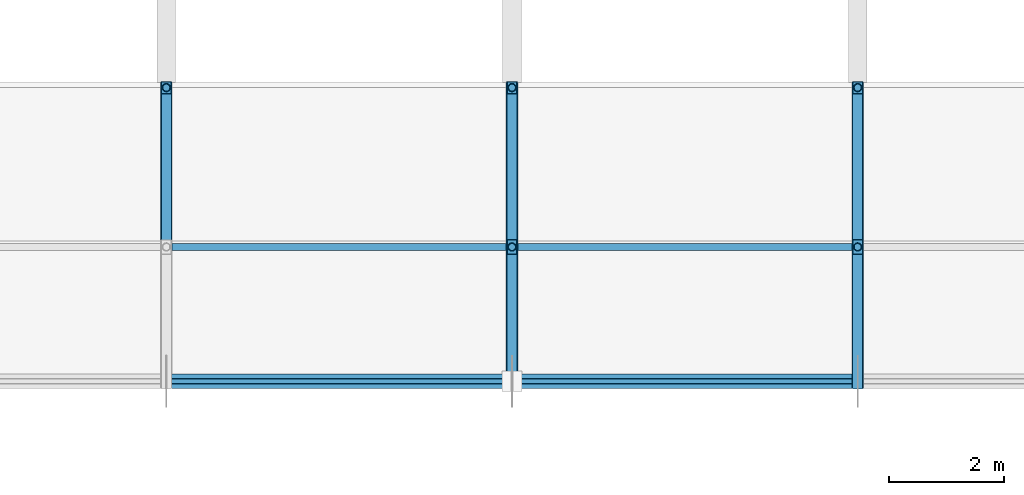
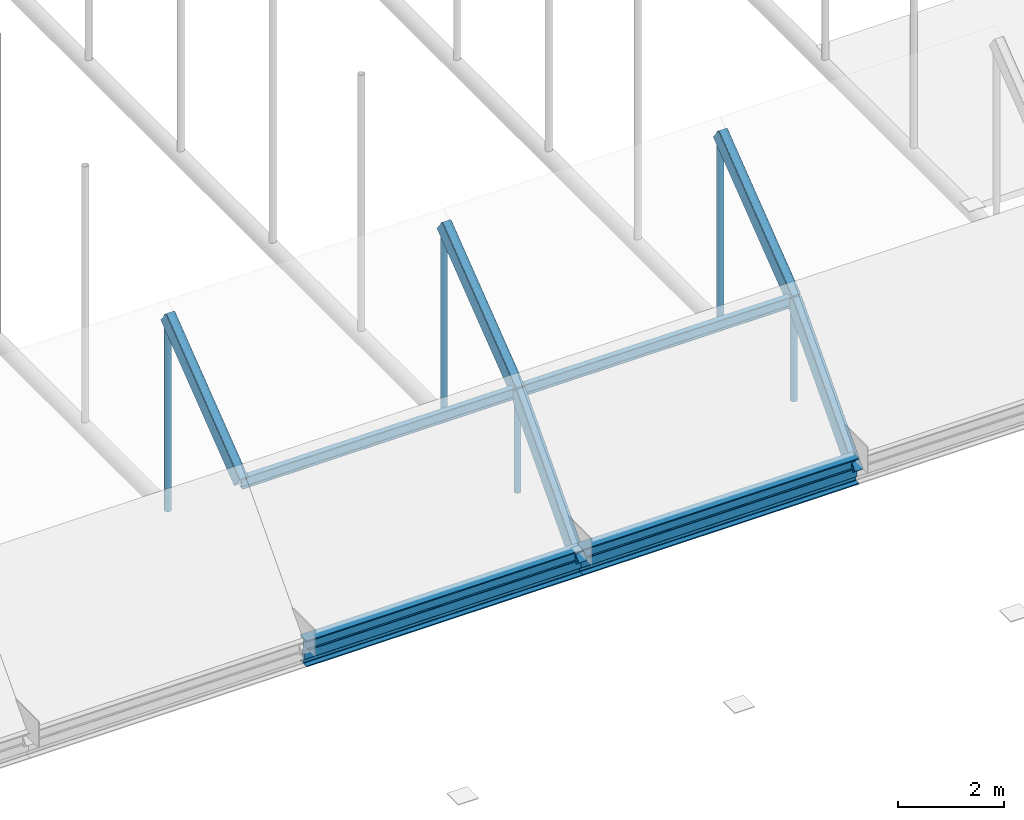
# One storey, part 43 of 116: 9 members, 7 beams.
"""IFC4 building model written with IfcOpenShell, lengths in metres."""

from ifc_helpers import new_model, si_unit, direction, frame, origin, origin_2d, place, context, subcontext, project, spatial, hollow_rectangle, hollow_circle, i_section, extrude, material, material_profile, profile_set, type_object, element, save


model = new_model("IFC4")

# Units and contexts
model_context = context("Model", 3, precision=1e-05, world=origin(), true_north=direction((0.0, 1.0)))
body_context = subcontext(model_context, "Body", "Model", "MODEL_VIEW")
ifc_project = project(units=[si_unit("LENGTHUNIT", "METRE"), si_unit("AREAUNIT", "SQUARE_METRE"), si_unit("VOLUMEUNIT", "CUBIC_METRE"), si_unit("PLANEANGLEUNIT", "RADIAN"), si_unit("MASSUNIT", "GRAM", prefix="KILO")], contexts=[model_context])

# Site, building, storey
site_placement = place(None, origin())
site = spatial("IfcSite", under=ifc_project, at=site_placement, CompositionType="ELEMENT")
building_placement = place(site_placement, origin())
building = spatial("IfcBuilding", under=site, at=building_placement, Name="Varnakota Square Police Headquarters", CompositionType="ELEMENT")
storey_placement = place(building_placement, frame((0.0, 0.0, 9.300048828125)))
storey = spatial("IfcBuildingStorey", under=building, at=storey_placement, Name="L02", CompositionType="ELEMENT", Elevation=9.300048828125)

# Beams
ifc_material = material(Name="Steel IS 2062 Grade 350", Category="steel")
ifc_material_profile_1 = material_profile(ifc_material, i_section(OverallWidth=0.25, OverallDepth=0.60009765625, WebThickness=0.01171875, FlangeThickness=0.023681640625, FilletRadius=0.01708984375, at=origin_2d()), Name="ISWB 600")
ifc_profile_set_1 = profile_set([ifc_material_profile_1], Name="Steel IS 2062 Grade 350")
beam_type_1 = type_object("IfcBeamType", Name="BM-ISWB600", PredefinedType="BEAM", material=ifc_profile_set_1)
for number, where, z_axis, x_axis, name in (
    (1, (78.0, 9.0, -0.300048828125), (1.0, 0.0, 0.0), (0.0, 1.0, 0.0), "Vault V1 south ring beam"),
    (2, (84.0, 9.0, -0.300048828125), (1.0, 0.0, 0.0), (0.0, 1.0, 0.0), "Vault V1 south ring beam"),
):
    element("IfcBeam", number, at=place(storey_placement, frame(where, z_axis=z_axis, x_axis=x_axis)), inside=storey, type_object=beam_type_1, Name=name, PredefinedType="BEAM", context=body_context, shape_type="SweptSolid", body=[
        extrude(i_section(OverallWidth=0.25, OverallDepth=0.60009765625, WebThickness=0.01171875, FlangeThickness=0.023681640625, FilletRadius=0.01708984375, at=origin_2d()), origin(), (0.0, 0.0, 1.0), 6.0),
    ])
ifc_material_profile_2 = material_profile(ifc_material, hollow_rectangle(XDim=0.199951171875, YDim=0.35009765625, WallThickness=0.011962890625, InnerFilletRadius=0.011962890625, OuterFilletRadius=0.02392578125, at=origin_2d()), Name="RHS 350x200x12")
ifc_profile_set_2 = profile_set([ifc_material_profile_2], Name="Steel IS 2062 Grade 350")
beam_type_2 = type_object("IfcBeamType", Name="BM-VR-RHS350", PredefinedType="BEAM", material=ifc_profile_set_2)
beam_1_placement = place(storey_placement, frame((78.0, 11.331787109375, 2.181396484375), z_axis=(0.0, 0.792062306817, 0.610440252703), x_axis=(-1.0, 0.0, 0.0)))
element("IfcBeam", 3, at=beam_1_placement, inside=storey, type_object=beam_type_2, Name="Barrel vault arch rib chord VR-V1-R05-S02", PredefinedType="BEAM", context=body_context, shape_type="SweptSolid", body=[
    extrude(hollow_rectangle(XDim=0.199951171875, YDim=0.35009765625, WallThickness=0.011962890625, InnerFilletRadius=0.011962890625, OuterFilletRadius=0.02392578125, at=origin_2d()), origin(), (0.0, 0.0, 1.0), 3.4921875),
])
beam_2_placement = place(storey_placement, frame((84.0, 9.0, -0.3916015625), z_axis=(0.0, 0.671520631111, 0.740985858159), x_axis=(-1.0, 0.0, 0.0)))
element("IfcBeam", 4, at=beam_2_placement, inside=storey, type_object=beam_type_2, Name="Barrel vault arch rib chord VR-V1-R06-S01", PredefinedType="BEAM", context=body_context, shape_type="SweptSolid", body=[
    extrude(hollow_rectangle(XDim=0.199951171875, YDim=0.35009765625, WallThickness=0.011962890625, InnerFilletRadius=0.011962890625, OuterFilletRadius=0.02392578125, at=origin_2d()), origin(), (0.0, 0.0, 1.0), 3.472412109375),
])
beam_3_placement = place(storey_placement, frame((84.0, 11.331787109375, 2.181396484375), z_axis=(0.0, 0.792062306817, 0.610440252703), x_axis=(-1.0, 0.0, 0.0)))
element("IfcBeam", 5, at=beam_3_placement, inside=storey, type_object=beam_type_2, Name="Barrel vault arch rib chord VR-V1-R06-S02", PredefinedType="BEAM", context=body_context, shape_type="SweptSolid", body=[
    extrude(hollow_rectangle(XDim=0.199951171875, YDim=0.35009765625, WallThickness=0.011962890625, InnerFilletRadius=0.011962890625, OuterFilletRadius=0.02392578125, at=origin_2d()), origin(), (0.0, 0.0, 1.0), 3.4921875),
])
beam_4_placement = place(storey_placement, frame((90.0, 9.0, -0.3916015625), z_axis=(0.0, 0.671520631111, 0.740985858159), x_axis=(-1.0, 0.0, 0.0)))
element("IfcBeam", 6, at=beam_4_placement, inside=storey, type_object=beam_type_2, Name="Barrel vault arch rib chord VR-V1-R07-S01", PredefinedType="BEAM", context=body_context, shape_type="SweptSolid", body=[
    extrude(hollow_rectangle(XDim=0.199951171875, YDim=0.35009765625, WallThickness=0.011962890625, InnerFilletRadius=0.011962890625, OuterFilletRadius=0.02392578125, at=origin_2d()), origin(), (0.0, 0.0, 1.0), 3.472412109375),
])
beam_5_placement = place(storey_placement, frame((90.0, 11.331787109375, 2.181396484375), z_axis=(0.0, 0.792062306817, 0.610440252703), x_axis=(-1.0, 0.0, 0.0)))
element("IfcBeam", 7, at=beam_5_placement, inside=storey, type_object=beam_type_2, Name="Barrel vault arch rib chord VR-V1-R07-S02", PredefinedType="BEAM", context=body_context, shape_type="SweptSolid", body=[
    extrude(hollow_rectangle(XDim=0.199951171875, YDim=0.35009765625, WallThickness=0.011962890625, InnerFilletRadius=0.011962890625, OuterFilletRadius=0.02392578125, at=origin_2d()), origin(), (0.0, 0.0, 1.0), 3.4921875),
])

# Members
ifc_material_profile_3 = material_profile(ifc_material, hollow_circle(Radius=0.06982421875, WallThickness=0.006103515625, at=origin_2d()), Name="CHS 139.7x6.0")
ifc_profile_set_3 = profile_set([ifc_material_profile_3], Name="Steel IS 2062 Grade 350")
member_type_1 = type_object("IfcMemberType", Name="MEM-HNG-CHS139", PredefinedType="STRUT", material=ifc_profile_set_3)
member_1_placement = place(storey_placement, frame((78.0, 14.097900390625, -0.150146484375), z_axis=(0.0, 0.0, 1.0), x_axis=(1.0, 0.0, 0.0)))
element("IfcMember", 8, at=member_1_placement, inside=storey, type_object=member_type_1, Name="Barrel vault hanger strut V1-R05-N2", PredefinedType="STRUT", context=body_context, shape_type="SweptSolid", body=[
    extrude(hollow_circle(Radius=0.06982421875, WallThickness=0.006103515625, at=origin_2d()), origin(), (0.0, 0.0, 1.0), 4.46337890625),
])
member_2_placement = place(storey_placement, frame((84.0, 11.331787109375, -0.150146484375), z_axis=(0.0, 0.0, 1.0), x_axis=(1.0, 0.0, 0.0)))
element("IfcMember", 9, at=member_2_placement, inside=storey, type_object=member_type_1, Name="Barrel vault hanger strut V1-R06-N1", PredefinedType="STRUT", context=body_context, shape_type="SweptSolid", body=[
    extrude(hollow_circle(Radius=0.06982421875, WallThickness=0.006103515625, at=origin_2d()), origin(), (0.0, 0.0, 1.0), 2.33154296875),
])
member_3_placement = place(storey_placement, frame((84.0, 14.097900390625, -0.150146484375), z_axis=(0.0, 0.0, 1.0), x_axis=(1.0, 0.0, 0.0)))
element("IfcMember", 10, at=member_3_placement, inside=storey, type_object=member_type_1, Name="Barrel vault hanger strut V1-R06-N2", PredefinedType="STRUT", context=body_context, shape_type="SweptSolid", body=[
    extrude(hollow_circle(Radius=0.06982421875, WallThickness=0.006103515625, at=origin_2d()), origin(), (0.0, 0.0, 1.0), 4.46337890625),
])
member_4_placement = place(storey_placement, frame((90.0, 11.331787109375, -0.150146484375), z_axis=(0.0, 0.0, 1.0), x_axis=(1.0, 0.0, 0.0)))
element("IfcMember", 11, at=member_4_placement, inside=storey, type_object=member_type_1, Name="Barrel vault hanger strut V1-R07-N1", PredefinedType="STRUT", context=body_context, shape_type="SweptSolid", body=[
    extrude(hollow_circle(Radius=0.06982421875, WallThickness=0.006103515625, at=origin_2d()), origin(), (0.0, 0.0, 1.0), 2.33154296875),
])
member_5_placement = place(storey_placement, frame((90.0, 14.097900390625, -0.150146484375), z_axis=(0.0, 0.0, 1.0), x_axis=(1.0, 0.0, 0.0)))
element("IfcMember", 12, at=member_5_placement, inside=storey, type_object=member_type_1, Name="Barrel vault hanger strut V1-R07-N2", PredefinedType="STRUT", context=body_context, shape_type="SweptSolid", body=[
    extrude(hollow_circle(Radius=0.06982421875, WallThickness=0.006103515625, at=origin_2d()), origin(), (0.0, 0.0, 1.0), 4.46337890625),
])
ifc_material_profile_4 = material_profile(ifc_material, i_section(OverallWidth=0.125, OverallDepth=0.25, WebThickness=0.0068359375, FlangeThickness=0.012451171875, FilletRadius=0.012939453125, at=origin_2d()), Name="ISMB 250")
ifc_profile_set_4 = profile_set([ifc_material_profile_4], Name="Steel IS 2062 Grade 350")
member_type_2 = type_object("IfcMemberType", Name="MEM-PUR-ISMB250", PredefinedType="PURLIN", material=ifc_profile_set_4)
for number, where, z_axis, x_axis, name in (
    (13, (78.0, 11.331787109375, 2.156494140625), (1.0, 0.0, 0.0), (0.0, 1.0, 0.0), "Vault roof purlin V1-B05-N01"),
    (14, (84.0, 11.331787109375, 2.156494140625), (1.0, 0.0, 0.0), (0.0, 1.0, 0.0), "Vault roof purlin V1-B06-N01"),
):
    element("IfcMember", number, at=place(storey_placement, frame(where, z_axis=z_axis, x_axis=x_axis)), inside=storey, type_object=member_type_2, Name=name, PredefinedType="PURLIN", context=body_context, shape_type="SweptSolid", body=[
        extrude(i_section(OverallWidth=0.125, OverallDepth=0.25, WebThickness=0.0068359375, FlangeThickness=0.012451171875, FilletRadius=0.012939453125, at=origin_2d()), origin(), (0.0, 0.0, 1.0), 6.0),
    ])
ifc_material_profile_5 = material_profile(ifc_material, hollow_rectangle(XDim=0.10009765625, YDim=0.199951171875, WallThickness=0.008056640625, InnerFilletRadius=0.008056640625, OuterFilletRadius=0.01611328125, at=origin_2d()), Name="RHS 200x100x8")
ifc_profile_set_5 = profile_set([ifc_material_profile_5], Name="Steel IS 2062 Grade 350")
member_type_3 = type_object("IfcMemberType", Name="MEM-PUR-RHS200", PredefinedType="PURLIN", material=ifc_profile_set_5)
for number, where, z_axis, x_axis, name in (
    (15, (78.0, 9.0, -0.377685546875), (1.0, 0.0, 0.0), (0.0, 1.0, 0.0), "Vault roof purlin V1-B05-N00"),
    (16, (84.0, 9.0, -0.377685546875), (1.0, 0.0, 0.0), (0.0, 1.0, 0.0), "Vault roof purlin V1-B06-N00"),
):
    element("IfcMember", number, at=place(storey_placement, frame(where, z_axis=z_axis, x_axis=x_axis)), inside=storey, type_object=member_type_3, Name=name, PredefinedType="PURLIN", context=body_context, shape_type="SweptSolid", body=[
        extrude(hollow_rectangle(XDim=0.10009765625, YDim=0.199951171875, WallThickness=0.008056640625, InnerFilletRadius=0.008056640625, OuterFilletRadius=0.01611328125, at=origin_2d()), origin(), (0.0, 0.0, 1.0), 6.0),
    ])

save(model, "model.ifc")
